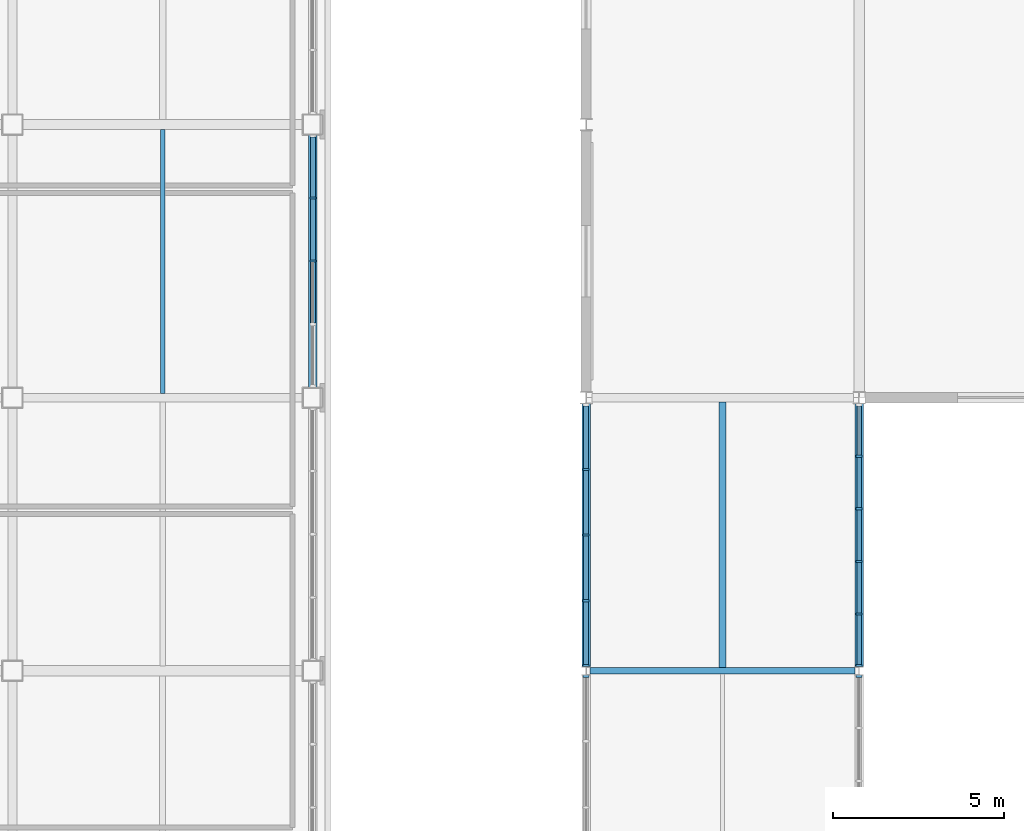
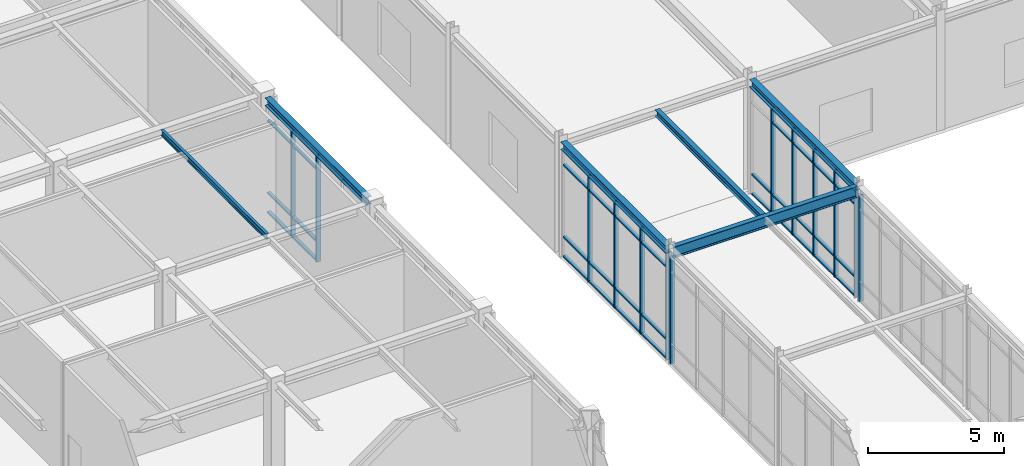
# One storey, part 33 of 108: 56 members, 6 beams, 5 elements without a shape of their own.
"""IFC4 building model written with IfcOpenShell, lengths in metres."""

import ifcopenshell
import ifcopenshell.guid

model = None  # the IFC model being written
_history = None  # IfcOwnerHistory: only IFC2X3 demands one
_inside = {}  # id of a spatial element -> (the spatial element, [elements in it])
_under = {}  # id of a project, library or spatial element -> (it, [spatial elements below it])
_declared = {}  # id of a project -> (the project, [libraries it declares])
_typed = {}  # id of a type object -> (the type object, [elements of that type])
_made_of = {}  # id of a material, layer set ... -> (it, [elements and type objects made of it])


def new_model(schema):
    """Start an empty IFC model of exactly this schema.

    Asked for "IFC4X3", IfcOpenShell would pick the latest addendum, in which some entities
    have other attributes; the version numbers below select the first issue.
    IFC2X3 requires an IfcOwnerHistory on every rooted entity: one is made here for all.
    """
    global model, _history
    if schema == "IFC4X3":
        model = ifcopenshell.file(schema_version=(4, 3, 0, 0))
    else:
        model = ifcopenshell.file(schema=schema)
    _inside.clear()
    _under.clear()
    _declared.clear()
    _typed.clear()
    _made_of.clear()
    _history = None
    if model.schema == "IFC2X3":
        org = make("IfcOrganization", Name="unknown")
        user = make(
            "IfcPersonAndOrganization",
            ThePerson=make("IfcPerson", FamilyName="unknown"),
            TheOrganization=org,
        )
        app = make(
            "IfcApplication",
            ApplicationDeveloper=org,
            Version="unknown",
            ApplicationFullName="unknown",
            ApplicationIdentifier="unknown",
        )
        _history = make(
            "IfcOwnerHistory",
            OwningUser=user,
            OwningApplication=app,
            ChangeAction="ADDED",
            CreationDate=0,
        )
    return model


def make(cls, **values):
    """One entity of the class cls with the attributes given. An attribute that is None is left unset."""
    return model.create_entity(
        cls, **{name: value for name, value in values.items() if value is not None}
    )


def rooted(cls, **values):
    """An entity with a GlobalId (a new one), such as an element, a storey or a relation."""
    return make(cls, GlobalId=ifcopenshell.guid.new(), OwnerHistory=_history, **values)


def si_unit(unit_type, name, prefix=None):
    """IfcSIUnit, for example si_unit("LENGTHUNIT", "METRE", prefix="MILLI")."""
    return make("IfcSIUnit", UnitType=unit_type, Prefix=prefix, Name=name)


def assignment(units):
    """IfcUnitAssignment: the units of a project."""
    return None if units is None else make("IfcUnitAssignment", Units=units)


def point(xyz):
    """IfcCartesianPoint."""
    return None if xyz is None else make("IfcCartesianPoint", Coordinates=xyz)


def direction(xyz):
    """IfcDirection."""
    return None if xyz is None else make("IfcDirection", DirectionRatios=xyz)


def frame(location, z_axis=None, x_axis=None):
    """IfcAxis2Placement3D, a coordinate frame: its origin and axes. An axis left out is left unset."""
    return make(
        "IfcAxis2Placement3D",
        Location=point(location),
        Axis=direction(z_axis),
        RefDirection=direction(x_axis),
    )


def frame_2d(location, x_axis=None):
    """IfcAxis2Placement2D, a coordinate frame in the plane: its origin and x axis."""
    return make(
        "IfcAxis2Placement2D", Location=point(location), RefDirection=direction(x_axis)
    )


def origin():
    """The frame at (0, 0, 0) with its axes left unset."""
    return frame((0.0, 0.0, 0.0))


def origin_2d():
    """The frame at (0, 0) in the plane with its x axis left unset."""
    return frame_2d((0.0, 0.0))


def place(relative_to, where):
    """IfcLocalPlacement: puts the frame where relative to a parent placement (None: the world)."""
    return make(
        "IfcLocalPlacement", PlacementRelTo=relative_to, RelativePlacement=where
    )


def context(
    kind, dimensions, precision=None, world=None, true_north=None, identifier=None
):
    """IfcGeometricRepresentationContext, for example the 3D "Model" context."""
    return make(
        "IfcGeometricRepresentationContext",
        ContextIdentifier=identifier,
        ContextType=kind,
        CoordinateSpaceDimension=dimensions,
        Precision=precision,
        WorldCoordinateSystem=world,
        TrueNorth=true_north,
    )


def subcontext(parent, identifier, kind, view, scale=None):
    """IfcGeometricRepresentationSubContext, for example "Body" below "Model"."""
    return make(
        "IfcGeometricRepresentationSubContext",
        ContextIdentifier=identifier,
        ContextType=kind,
        ParentContext=parent,
        TargetScale=scale,
        TargetView=view,
    )


def project(units=None, contexts=None):
    """IfcProject with its units and contexts."""
    return rooted(
        "IfcProject",
        Name="project",
        RepresentationContexts=contexts,
        UnitsInContext=assignment(units),
    )


def spatial(cls, under=None, at=None, **own):
    """A site, building, storey or space (cls), placed at a placement, below another one or the project."""
    s = rooted(cls, ObjectPlacement=at, **own)
    if under is not None:
        _under.setdefault(under.id(), (under, []))[1].append(s)
    return s


def profile(cls, at=None, kind="AREA", **sizes):
    """A parametric profile (cls). Its sizes go by their IFC names, for example OverallWidth=200.0."""
    return make(cls, ProfileType=kind, Position=at, **sizes)


def rectangle(**sizes):
    """IfcRectangleProfileDef."""
    return profile("IfcRectangleProfileDef", **sizes)


def i_section(**sizes):
    """IfcIShapeProfileDef."""
    return profile("IfcIShapeProfileDef", **sizes)


def extrude(swept, where, along, depth):
    """IfcExtrudedAreaSolid: the profile swept, set in the frame where, extruded along a direction by depth."""
    return make(
        "IfcExtrudedAreaSolid",
        SweptArea=swept,
        Position=where,
        ExtrudedDirection=direction(along),
        Depth=depth,
    )


def shape(context_of_items, identifier, shape_type, items):
    """IfcShapeRepresentation: the items that make up one representation, for example the "Body"."""
    return make(
        "IfcShapeRepresentation",
        ContextOfItems=context_of_items,
        RepresentationIdentifier=identifier,
        RepresentationType=shape_type,
        Items=items,
    )


def material(Name=None, Category=None):
    """IfcMaterial."""
    return make("IfcMaterial", Name=Name, Category=Category)


def material_profile(
    of_material, cross_section, Name=None, Category=None, Priority=None
):
    """IfcMaterialProfile: a cross section and its material."""
    return make(
        "IfcMaterialProfile",
        Name=Name,
        Material=of_material,
        Profile=cross_section,
        Priority=Priority,
        Category=Category,
    )


def profile_set(profiles, Name=None, composite=None):
    """IfcMaterialProfileSet."""
    return make(
        "IfcMaterialProfileSet",
        Name=Name,
        MaterialProfiles=profiles,
        CompositeProfile=composite,
    )


def made_of(thing, what):
    """Note that an element or type object is made of a material, layer set ...; save() writes the relation."""
    if what is not None:
        _made_of.setdefault(what.id(), (what, []))[1].append(thing)
    return thing


def type_object(cls, material=None, **own):
    """A type object (cls), such as IfcWallType, which elements share."""
    return made_of(rooted(cls, **own), material)


def element(
    cls,
    number,
    at=None,
    inside=None,
    cuts=None,
    type_object=None,
    material=None,
    context=None,
    identifier="Body",
    shape_type=None,
    held_by="IfcProductDefinitionShape",
    body=None,
    shapes=None,
    **own,
):
    """One element of the class cls, such as IfcWall. Its Tag is "e" and its number.

    at: its placement. inside: the storey or other place that contains it. cuts: it is an
    opening in that element (IfcRelVoidsElement). A single representation is given by context,
    identifier, shape_type and body (its items); several are given by shapes. held_by: the class
    of the entity that holds the representations. save() writes the other relations.
    """
    e = rooted(cls, Tag="e%d" % number, ObjectPlacement=at, **own)
    if body is not None:
        shapes = [shape(context, identifier, shape_type, body)]
    if shapes is not None:
        e.Representation = make(held_by, Representations=shapes)
    if inside is not None:
        _inside.setdefault(inside.id(), (inside, []))[1].append(e)
    if cuts is not None:
        rooted(
            "IfcRelVoidsElement", RelatingBuildingElement=cuts, RelatedOpeningElement=e
        )
    if type_object is not None:
        _typed.setdefault(type_object.id(), (type_object, []))[1].append(e)
    return made_of(e, material)


def aggregate(whole, parts):
    """IfcRelAggregates: a whole, such as a stair, and the parts it consists of."""
    return rooted("IfcRelAggregates", RelatingObject=whole, RelatedObjects=parts)


def save(model, path):
    """Write the relations noted so far, then the file.

    IfcRelAggregates (storeys below a building ...), IfcRelContainedInSpatialStructure (elements
    in a storey), IfcRelDefinesByType, IfcRelAssociatesMaterial and IfcRelDeclares: one each for
    every whole, place, type object, material and project.
    """
    for whole, parts in _under.values():
        aggregate(whole, parts)
    for where, things in _inside.values():
        rooted(
            "IfcRelContainedInSpatialStructure",
            RelatedElements=things,
            RelatingStructure=where,
        )
    for kind, things in _typed.values():
        rooted("IfcRelDefinesByType", RelatedObjects=things, RelatingType=kind)
    for what, things in _made_of.values():
        rooted("IfcRelAssociatesMaterial", RelatedObjects=things, RelatingMaterial=what)
    for by, libraries in _declared.values():
        rooted("IfcRelDeclares", RelatingContext=by, RelatedDefinitions=libraries)
    model.write(path)


model = new_model("IFC4")

# Units and contexts
model_context = context("Model", 3, precision=1e-05, world=origin(), true_north=direction((0.0, 1.0)))
body_context = subcontext(model_context, "Body", "Model", "MODEL_VIEW")
ifc_project = project(units=[si_unit("LENGTHUNIT", "METRE"), si_unit("AREAUNIT", "SQUARE_METRE"), si_unit("VOLUMEUNIT", "CUBIC_METRE"), si_unit("PLANEANGLEUNIT", "RADIAN"), si_unit("MASSUNIT", "GRAM", prefix="KILO")], contexts=[model_context])

# Site, building, storey
site_placement = place(None, origin())
site = spatial("IfcSite", under=ifc_project, at=site_placement, CompositionType="ELEMENT")
building_placement = place(site_placement, origin())
building = spatial("IfcBuilding", under=site, at=building_placement, Name="Zhaolan Boulevard Law Courts", CompositionType="ELEMENT")
storey_placement = place(building_placement, frame((0.0, 0.0, 10.800048828125)))
storey = spatial("IfcBuildingStorey", under=building, at=storey_placement, Name="L02", CompositionType="ELEMENT", Elevation=10.800048828125)

# Curtain wall, member
ifc_material_1 = material(Name="Thermally broken aluminium and low-E glazing", Category="aluminium")
curtain_wall_type_1 = type_object("IfcCurtainWallType", Name="CURTAIN WALL M22", PredefinedType="USERDEFINED", material=ifc_material_1)
curtain_wall_1_placement = place(storey_placement, origin())
curtain_wall_1 = element("IfcCurtainWall", 1, at=curtain_wall_1_placement, inside=storey, type_object=curtain_wall_type_1, Name="Curtain Wall CW-L02-094", ObjectType="CURTAIN WALL", PredefinedType="USERDEFINED")
ifc_material_2 = material(Name="Fluorocarbon-coated aluminium 6063-T6", Category="aluminium")
ifc_material_profile_1 = material_profile(ifc_material_2, rectangle(XDim=0.179931640625, YDim=0.06494140625, at=origin_2d()), Name="AL65x180")
ifc_profile_set_1 = profile_set([ifc_material_profile_1], Name="Fluorocarbon-coated aluminium 6063-T6")
member_type_1 = type_object("IfcMemberType", Name="CWMULLION 65X180", PredefinedType="MULLION", material=ifc_profile_set_1)
member_1_placement = place(storey_placement, frame((52.0, 53.840576171875, 0.0), z_axis=(0.0, 0.0, 1.0), x_axis=(1.0, 0.0, 0.0)))
member_1 = element("IfcMember", 2, at=member_1_placement, type_object=member_type_1, Name="CW-L02-094 mullion 1", PredefinedType="MULLION", context=body_context, shape_type="SweptSolid", body=[
    extrude(rectangle(XDim=0.179931640625, YDim=0.06494140625, at=origin_2d()), origin(), (0.0, 0.0, 1.0), 4.782958984375),
])
aggregate(curtain_wall_1, [member_1])

# Curtain wall, members
ifc_material_3 = material(Name="Thermally broken aluminium and low-E glazing", Category="aluminium")
curtain_wall_type_2 = type_object("IfcCurtainWallType", Name="CURTAIN WALL M23", PredefinedType="USERDEFINED", material=ifc_material_3)
curtain_wall_2_placement = place(storey_placement, origin())
curtain_wall_2 = element("IfcCurtainWall", 3, at=curtain_wall_2_placement, inside=storey, type_object=curtain_wall_type_2, Name="Curtain Wall CW-L02-095", ObjectType="CURTAIN WALL", PredefinedType="USERDEFINED")
member_2_placement = place(storey_placement, frame((52.0, 59.89892578125, 0.0), z_axis=(0.0, 0.0, 1.0), x_axis=(1.0, 0.0, 0.0)))
member_2 = element("IfcMember", 4, at=member_2_placement, type_object=member_type_1, Name="CW-L02-095 mullion 2", PredefinedType="MULLION", context=body_context, shape_type="SweptSolid", body=[
    extrude(rectangle(XDim=0.179931640625, YDim=0.06494140625, at=origin_2d()), origin(), (0.0, 0.0, 1.0), 4.782958984375),
])
member_3_placement = place(storey_placement, frame((52.0, 57.97509765625, 0.0), z_axis=(0.0, 0.0, 1.0), x_axis=(1.0, 0.0, 0.0)))
member_3 = element("IfcMember", 5, at=member_3_placement, type_object=member_type_1, Name="CW-L02-095 mullion 3", PredefinedType="MULLION", context=body_context, shape_type="SweptSolid", body=[
    extrude(rectangle(XDim=0.179931640625, YDim=0.06494140625, at=origin_2d()), origin(), (0.0, 0.0, 1.0), 4.782958984375),
])
member_4_placement = place(storey_placement, frame((52.0, 56.051025390625, 0.0), z_axis=(0.0, 0.0, 1.0), x_axis=(1.0, 0.0, 0.0)))
member_4 = element("IfcMember", 6, at=member_4_placement, type_object=member_type_1, Name="CW-L02-095 mullion 4", PredefinedType="MULLION", context=body_context, shape_type="SweptSolid", body=[
    extrude(rectangle(XDim=0.179931640625, YDim=0.06494140625, at=origin_2d()), origin(), (0.0, 0.0, 1.0), 4.782958984375),
])
member_5_placement = place(storey_placement, frame((52.0, 54.159423828125, 0.0), z_axis=(0.0, 0.0, 1.0), x_axis=(1.0, 0.0, 0.0)))
member_5 = element("IfcMember", 7, at=member_5_placement, type_object=member_type_1, Name="CW-L02-095 mullion 5", PredefinedType="MULLION", context=body_context, shape_type="SweptSolid", body=[
    extrude(rectangle(XDim=0.179931640625, YDim=0.06494140625, at=origin_2d()), origin(), (0.0, 0.0, 1.0), 4.782958984375),
])

# Curtain wall, member
ifc_material_4 = material(Name="Thermally broken aluminium and low-E glazing", Category="aluminium")
curtain_wall_type_3 = type_object("IfcCurtainWallType", Name="CURTAIN WALL M2", PredefinedType="USERDEFINED", material=ifc_material_4)
curtain_wall_3_placement = place(storey_placement, origin())
curtain_wall_3 = element("IfcCurtainWall", 8, at=curtain_wall_3_placement, inside=storey, type_object=curtain_wall_type_3, Name="Curtain Wall CW-L02-098", ObjectType="CURTAIN WALL", PredefinedType="USERDEFINED")
member_6_placement = place(storey_placement, frame((60.0, 53.840576171875, 0.0), z_axis=(0.0, 0.0, 1.0), x_axis=(-1.0, 0.0, 0.0)))
member_6 = element("IfcMember", 9, at=member_6_placement, type_object=member_type_1, Name="CW-L02-098 mullion 6", PredefinedType="MULLION", context=body_context, shape_type="SweptSolid", body=[
    extrude(rectangle(XDim=0.179931640625, YDim=0.06494140625, at=origin_2d()), origin(), (0.0, 0.0, 1.0), 4.782958984375),
])
aggregate(curtain_wall_3, [member_6])

# Curtain wall, members
ifc_material_5 = material(Name="Thermally broken aluminium and low-E glazing", Category="aluminium")
curtain_wall_type_4 = type_object("IfcCurtainWallType", Name="CURTAIN WALL M3", PredefinedType="USERDEFINED", material=ifc_material_5)
curtain_wall_4_placement = place(storey_placement, origin())
curtain_wall_4 = element("IfcCurtainWall", 10, at=curtain_wall_4_placement, inside=storey, type_object=curtain_wall_type_4, Name="Curtain Wall CW-L02-099", ObjectType="CURTAIN WALL", PredefinedType="USERDEFINED")
member_7_placement = place(storey_placement, frame((60.0, 54.159423828125, 0.0), z_axis=(0.0, 0.0, 1.0), x_axis=(-1.0, 0.0, 0.0)))
member_7 = element("IfcMember", 11, at=member_7_placement, type_object=member_type_1, Name="CW-L02-099 mullion 1", PredefinedType="MULLION", context=body_context, shape_type="SweptSolid", body=[
    extrude(rectangle(XDim=0.179931640625, YDim=0.06494140625, at=origin_2d()), origin(), (0.0, 0.0, 1.0), 4.782958984375),
])
member_8_placement = place(storey_placement, frame((60.0, 55.666259765625, 0.0), z_axis=(0.0, 0.0, 1.0), x_axis=(-1.0, 0.0, 0.0)))
member_8 = element("IfcMember", 12, at=member_8_placement, type_object=member_type_1, Name="CW-L02-099 mullion 2", PredefinedType="MULLION", context=body_context, shape_type="SweptSolid", body=[
    extrude(rectangle(XDim=0.179931640625, YDim=0.06494140625, at=origin_2d()), origin(), (0.0, 0.0, 1.0), 4.782958984375),
])
member_9_placement = place(storey_placement, frame((60.0, 57.205322265625, 0.0), z_axis=(0.0, 0.0, 1.0), x_axis=(-1.0, 0.0, 0.0)))
member_9 = element("IfcMember", 13, at=member_9_placement, type_object=member_type_1, Name="CW-L02-099 mullion 3", PredefinedType="MULLION", context=body_context, shape_type="SweptSolid", body=[
    extrude(rectangle(XDim=0.179931640625, YDim=0.06494140625, at=origin_2d()), origin(), (0.0, 0.0, 1.0), 4.782958984375),
])
member_10_placement = place(storey_placement, frame((60.0, 58.74462890625, 0.0), z_axis=(0.0, 0.0, 1.0), x_axis=(-1.0, 0.0, 0.0)))
member_10 = element("IfcMember", 14, at=member_10_placement, type_object=member_type_1, Name="CW-L02-099 mullion 4", PredefinedType="MULLION", context=body_context, shape_type="SweptSolid", body=[
    extrude(rectangle(XDim=0.179931640625, YDim=0.06494140625, at=origin_2d()), origin(), (0.0, 0.0, 1.0), 4.782958984375),
])
member_11_placement = place(storey_placement, frame((60.0, 60.28369140625, 0.0), z_axis=(0.0, 0.0, 1.0), x_axis=(-1.0, 0.0, 0.0)))
member_11 = element("IfcMember", 15, at=member_11_placement, type_object=member_type_1, Name="CW-L02-099 mullion 5", PredefinedType="MULLION", context=body_context, shape_type="SweptSolid", body=[
    extrude(rectangle(XDim=0.179931640625, YDim=0.06494140625, at=origin_2d()), origin(), (0.0, 0.0, 1.0), 4.782958984375),
])

curtain_wall_5_placement = place(storey_placement, origin())
curtain_wall_5 = element("IfcCurtainWall", 16, at=curtain_wall_5_placement, inside=storey, type_object=curtain_wall_type_1, Name="Curtain Wall CW-L02-166", ObjectType="CURTAIN WALL", PredefinedType="USERDEFINED")
member_12_placement = place(storey_placement, frame((44.0, 66.0, 0.0), z_axis=(0.0, 0.0, 1.0), x_axis=(-1.0, 0.0, 0.0)))
member_12 = element("IfcMember", 17, at=member_12_placement, type_object=member_type_1, Name="CW-L02-166 mullion 3", PredefinedType="MULLION", context=body_context, shape_type="SweptSolid", body=[
    extrude(rectangle(XDim=0.179931640625, YDim=0.06494140625, at=origin_2d()), origin(), (0.0, 0.0, 1.0), 4.782958984375),
])
member_13_placement = place(storey_placement, frame((44.0, 67.84912109375, 0.0), z_axis=(0.0, 0.0, 1.0), x_axis=(-1.0, 0.0, 0.0)))
member_13 = element("IfcMember", 18, at=member_13_placement, type_object=member_type_1, Name="CW-L02-166 mullion 4", PredefinedType="MULLION", context=body_context, shape_type="SweptSolid", body=[
    extrude(rectangle(XDim=0.179931640625, YDim=0.06494140625, at=origin_2d()), origin(), (0.0, 0.0, 1.0), 4.782958984375),
])

# Member
ifc_material_6 = material(Name="Fluorocarbon-coated aluminium 6063-T6", Category="aluminium")
ifc_material_profile_2 = material_profile(ifc_material_6, rectangle(XDim=0.139892578125, YDim=0.06494140625, at=origin_2d()), Name="AL65x140")
ifc_profile_set_2 = profile_set([ifc_material_profile_2], Name="Fluorocarbon-coated aluminium 6063-T6")
member_type_2 = type_object("IfcMemberType", Name="CWTRANSOM 65X140", PredefinedType="USERDEFINED", material=ifc_profile_set_2)
member_14_placement = place(storey_placement, frame((52.0, 61.758056640625, 0.032470703125), z_axis=(0.0, -1.0, 0.0), x_axis=(1.0, 0.0, 0.0)))
member_14 = element("IfcMember", 19, at=member_14_placement, type_object=member_type_2, Name="CW-L02-095 transom 1.1", ObjectType="TRANSOM", PredefinedType="USERDEFINED", context=body_context, shape_type="SweptSolid", body=[
    extrude(rectangle(XDim=0.139892578125, YDim=0.06494140625, at=origin_2d()), origin(), (0.0, 0.0, 1.0), 1.82666015625),
])

member_15_placement = place(storey_placement, frame((52.0, 61.758056640625, 0.89990234375), z_axis=(0.0, -1.0, 0.0), x_axis=(1.0, 0.0, 0.0)))
member_15 = element("IfcMember", 20, at=member_15_placement, type_object=member_type_2, Name="CW-L02-095 transom 1.2", ObjectType="TRANSOM", PredefinedType="USERDEFINED", context=body_context, shape_type="SweptSolid", body=[
    extrude(rectangle(XDim=0.139892578125, YDim=0.06494140625, at=origin_2d()), origin(), (0.0, 0.0, 1.0), 1.82666015625),
])

member_16_placement = place(storey_placement, frame((52.0, 61.758056640625, 4.133056640625), z_axis=(0.0, -1.0, 0.0), x_axis=(1.0, 0.0, 0.0)))
member_16 = element("IfcMember", 21, at=member_16_placement, type_object=member_type_2, Name="CW-L02-095 transom 1.3", ObjectType="TRANSOM", PredefinedType="USERDEFINED", context=body_context, shape_type="SweptSolid", body=[
    extrude(rectangle(XDim=0.139892578125, YDim=0.06494140625, at=origin_2d()), origin(), (0.0, 0.0, 1.0), 1.82666015625),
])

member_17_placement = place(storey_placement, frame((52.0, 61.758056640625, 4.75048828125), z_axis=(0.0, -1.0, 0.0), x_axis=(1.0, 0.0, 0.0)))
member_17 = element("IfcMember", 22, at=member_17_placement, type_object=member_type_2, Name="CW-L02-095 transom 1.4", ObjectType="TRANSOM", PredefinedType="USERDEFINED", context=body_context, shape_type="SweptSolid", body=[
    extrude(rectangle(XDim=0.139892578125, YDim=0.06494140625, at=origin_2d()), origin(), (0.0, 0.0, 1.0), 1.82666015625),
])

member_18_placement = place(storey_placement, frame((52.0, 59.866455078125, 0.032470703125), z_axis=(0.0, -1.0, 0.0), x_axis=(1.0, 0.0, 0.0)))
member_18 = element("IfcMember", 23, at=member_18_placement, type_object=member_type_2, Name="CW-L02-095 transom 2.1", ObjectType="TRANSOM", PredefinedType="USERDEFINED", context=body_context, shape_type="SweptSolid", body=[
    extrude(rectangle(XDim=0.139892578125, YDim=0.06494140625, at=origin_2d()), origin(), (0.0, 0.0, 1.0), 1.85888671875),
])

member_19_placement = place(storey_placement, frame((52.0, 59.866455078125, 0.89990234375), z_axis=(0.0, -1.0, 0.0), x_axis=(1.0, 0.0, 0.0)))
member_19 = element("IfcMember", 24, at=member_19_placement, type_object=member_type_2, Name="CW-L02-095 transom 2.2", ObjectType="TRANSOM", PredefinedType="USERDEFINED", context=body_context, shape_type="SweptSolid", body=[
    extrude(rectangle(XDim=0.139892578125, YDim=0.06494140625, at=origin_2d()), origin(), (0.0, 0.0, 1.0), 1.85888671875),
])

member_20_placement = place(storey_placement, frame((52.0, 59.866455078125, 4.133056640625), z_axis=(0.0, -1.0, 0.0), x_axis=(1.0, 0.0, 0.0)))
member_20 = element("IfcMember", 25, at=member_20_placement, type_object=member_type_2, Name="CW-L02-095 transom 2.3", ObjectType="TRANSOM", PredefinedType="USERDEFINED", context=body_context, shape_type="SweptSolid", body=[
    extrude(rectangle(XDim=0.139892578125, YDim=0.06494140625, at=origin_2d()), origin(), (0.0, 0.0, 1.0), 1.85888671875),
])

member_21_placement = place(storey_placement, frame((52.0, 59.866455078125, 4.75048828125), z_axis=(0.0, -1.0, 0.0), x_axis=(1.0, 0.0, 0.0)))
member_21 = element("IfcMember", 26, at=member_21_placement, type_object=member_type_2, Name="CW-L02-095 transom 2.4", ObjectType="TRANSOM", PredefinedType="USERDEFINED", context=body_context, shape_type="SweptSolid", body=[
    extrude(rectangle(XDim=0.139892578125, YDim=0.06494140625, at=origin_2d()), origin(), (0.0, 0.0, 1.0), 1.85888671875),
])

member_22_placement = place(storey_placement, frame((52.0, 57.9423828125, 0.032470703125), z_axis=(0.0, -1.0, 0.0), x_axis=(1.0, 0.0, 0.0)))
member_22 = element("IfcMember", 27, at=member_22_placement, type_object=member_type_2, Name="CW-L02-095 transom 3.1", ObjectType="TRANSOM", PredefinedType="USERDEFINED", context=body_context, shape_type="SweptSolid", body=[
    extrude(rectangle(XDim=0.139892578125, YDim=0.06494140625, at=origin_2d()), origin(), (0.0, 0.0, 1.0), 1.85888671875),
])

member_23_placement = place(storey_placement, frame((52.0, 57.9423828125, 0.89990234375), z_axis=(0.0, -1.0, 0.0), x_axis=(1.0, 0.0, 0.0)))
member_23 = element("IfcMember", 28, at=member_23_placement, type_object=member_type_2, Name="CW-L02-095 transom 3.2", ObjectType="TRANSOM", PredefinedType="USERDEFINED", context=body_context, shape_type="SweptSolid", body=[
    extrude(rectangle(XDim=0.139892578125, YDim=0.06494140625, at=origin_2d()), origin(), (0.0, 0.0, 1.0), 1.85888671875),
])

member_24_placement = place(storey_placement, frame((52.0, 57.9423828125, 4.133056640625), z_axis=(0.0, -1.0, 0.0), x_axis=(1.0, 0.0, 0.0)))
member_24 = element("IfcMember", 29, at=member_24_placement, type_object=member_type_2, Name="CW-L02-095 transom 3.3", ObjectType="TRANSOM", PredefinedType="USERDEFINED", context=body_context, shape_type="SweptSolid", body=[
    extrude(rectangle(XDim=0.139892578125, YDim=0.06494140625, at=origin_2d()), origin(), (0.0, 0.0, 1.0), 1.85888671875),
])

member_25_placement = place(storey_placement, frame((52.0, 57.9423828125, 4.75048828125), z_axis=(0.0, -1.0, 0.0), x_axis=(1.0, 0.0, 0.0)))
member_25 = element("IfcMember", 30, at=member_25_placement, type_object=member_type_2, Name="CW-L02-095 transom 3.4", ObjectType="TRANSOM", PredefinedType="USERDEFINED", context=body_context, shape_type="SweptSolid", body=[
    extrude(rectangle(XDim=0.139892578125, YDim=0.06494140625, at=origin_2d()), origin(), (0.0, 0.0, 1.0), 1.85888671875),
])

member_26_placement = place(storey_placement, frame((52.0, 56.0185546875, 0.032470703125), z_axis=(0.0, -1.0, 0.0), x_axis=(1.0, 0.0, 0.0)))
member_26 = element("IfcMember", 31, at=member_26_placement, type_object=member_type_2, Name="CW-L02-095 transom 4.1", ObjectType="TRANSOM", PredefinedType="USERDEFINED", context=body_context, shape_type="SweptSolid", body=[
    extrude(rectangle(XDim=0.139892578125, YDim=0.06494140625, at=origin_2d()), origin(), (0.0, 0.0, 1.0), 1.82666015625),
])

member_27_placement = place(storey_placement, frame((52.0, 56.0185546875, 0.89990234375), z_axis=(0.0, -1.0, 0.0), x_axis=(1.0, 0.0, 0.0)))
member_27 = element("IfcMember", 32, at=member_27_placement, type_object=member_type_2, Name="CW-L02-095 transom 4.2", ObjectType="TRANSOM", PredefinedType="USERDEFINED", context=body_context, shape_type="SweptSolid", body=[
    extrude(rectangle(XDim=0.139892578125, YDim=0.06494140625, at=origin_2d()), origin(), (0.0, 0.0, 1.0), 1.82666015625),
])

member_28_placement = place(storey_placement, frame((52.0, 56.0185546875, 4.133056640625), z_axis=(0.0, -1.0, 0.0), x_axis=(1.0, 0.0, 0.0)))
member_28 = element("IfcMember", 33, at=member_28_placement, type_object=member_type_2, Name="CW-L02-095 transom 4.3", ObjectType="TRANSOM", PredefinedType="USERDEFINED", context=body_context, shape_type="SweptSolid", body=[
    extrude(rectangle(XDim=0.139892578125, YDim=0.06494140625, at=origin_2d()), origin(), (0.0, 0.0, 1.0), 1.82666015625),
])

member_29_placement = place(storey_placement, frame((52.0, 56.0185546875, 4.75048828125), z_axis=(0.0, -1.0, 0.0), x_axis=(1.0, 0.0, 0.0)))
member_29 = element("IfcMember", 34, at=member_29_placement, type_object=member_type_2, Name="CW-L02-095 transom 4.4", ObjectType="TRANSOM", PredefinedType="USERDEFINED", context=body_context, shape_type="SweptSolid", body=[
    extrude(rectangle(XDim=0.139892578125, YDim=0.06494140625, at=origin_2d()), origin(), (0.0, 0.0, 1.0), 1.82666015625),
])

aggregate(curtain_wall_2, [member_2, member_3, member_4, member_5, member_14, member_15, member_16, member_17, member_18, member_19, member_20, member_21, member_22, member_23, member_24, member_25, member_26, member_27, member_28, member_29])

member_30_placement = place(storey_placement, frame((60.0, 54.19189453125, 0.032470703125), z_axis=(0.0, 1.0, 0.0), x_axis=(-1.0, 0.0, 0.0)))
member_30 = element("IfcMember", 35, at=member_30_placement, type_object=member_type_2, Name="CW-L02-099 transom 1.1", ObjectType="TRANSOM", PredefinedType="USERDEFINED", context=body_context, shape_type="SweptSolid", body=[
    extrude(rectangle(XDim=0.139892578125, YDim=0.06494140625, at=origin_2d()), origin(), (0.0, 0.0, 1.0), 1.44189453125),
])

member_31_placement = place(storey_placement, frame((60.0, 54.19189453125, 0.89990234375), z_axis=(0.0, 1.0, 0.0), x_axis=(-1.0, 0.0, 0.0)))
member_31 = element("IfcMember", 36, at=member_31_placement, type_object=member_type_2, Name="CW-L02-099 transom 1.2", ObjectType="TRANSOM", PredefinedType="USERDEFINED", context=body_context, shape_type="SweptSolid", body=[
    extrude(rectangle(XDim=0.139892578125, YDim=0.06494140625, at=origin_2d()), origin(), (0.0, 0.0, 1.0), 1.44189453125),
])

member_32_placement = place(storey_placement, frame((60.0, 54.19189453125, 4.133056640625), z_axis=(0.0, 1.0, 0.0), x_axis=(-1.0, 0.0, 0.0)))
member_32 = element("IfcMember", 37, at=member_32_placement, type_object=member_type_2, Name="CW-L02-099 transom 1.3", ObjectType="TRANSOM", PredefinedType="USERDEFINED", context=body_context, shape_type="SweptSolid", body=[
    extrude(rectangle(XDim=0.139892578125, YDim=0.06494140625, at=origin_2d()), origin(), (0.0, 0.0, 1.0), 1.44189453125),
])

member_33_placement = place(storey_placement, frame((60.0, 54.19189453125, 4.75048828125), z_axis=(0.0, 1.0, 0.0), x_axis=(-1.0, 0.0, 0.0)))
member_33 = element("IfcMember", 38, at=member_33_placement, type_object=member_type_2, Name="CW-L02-099 transom 1.4", ObjectType="TRANSOM", PredefinedType="USERDEFINED", context=body_context, shape_type="SweptSolid", body=[
    extrude(rectangle(XDim=0.139892578125, YDim=0.06494140625, at=origin_2d()), origin(), (0.0, 0.0, 1.0), 1.44189453125),
])

member_34_placement = place(storey_placement, frame((60.0, 55.69873046875, 0.032470703125), z_axis=(0.0, 1.0, 0.0), x_axis=(-1.0, 0.0, 0.0)))
member_34 = element("IfcMember", 39, at=member_34_placement, type_object=member_type_2, Name="CW-L02-099 transom 2.1", ObjectType="TRANSOM", PredefinedType="USERDEFINED", context=body_context, shape_type="SweptSolid", body=[
    extrude(rectangle(XDim=0.139892578125, YDim=0.06494140625, at=origin_2d()), origin(), (0.0, 0.0, 1.0), 1.47412109375),
])

member_35_placement = place(storey_placement, frame((60.0, 55.69873046875, 0.89990234375), z_axis=(0.0, 1.0, 0.0), x_axis=(-1.0, 0.0, 0.0)))
member_35 = element("IfcMember", 40, at=member_35_placement, type_object=member_type_2, Name="CW-L02-099 transom 2.2", ObjectType="TRANSOM", PredefinedType="USERDEFINED", context=body_context, shape_type="SweptSolid", body=[
    extrude(rectangle(XDim=0.139892578125, YDim=0.06494140625, at=origin_2d()), origin(), (0.0, 0.0, 1.0), 1.47412109375),
])

member_36_placement = place(storey_placement, frame((60.0, 55.69873046875, 4.133056640625), z_axis=(0.0, 1.0, 0.0), x_axis=(-1.0, 0.0, 0.0)))
member_36 = element("IfcMember", 41, at=member_36_placement, type_object=member_type_2, Name="CW-L02-099 transom 2.3", ObjectType="TRANSOM", PredefinedType="USERDEFINED", context=body_context, shape_type="SweptSolid", body=[
    extrude(rectangle(XDim=0.139892578125, YDim=0.06494140625, at=origin_2d()), origin(), (0.0, 0.0, 1.0), 1.47412109375),
])

member_37_placement = place(storey_placement, frame((60.0, 55.69873046875, 4.75048828125), z_axis=(0.0, 1.0, 0.0), x_axis=(-1.0, 0.0, 0.0)))
member_37 = element("IfcMember", 42, at=member_37_placement, type_object=member_type_2, Name="CW-L02-099 transom 2.4", ObjectType="TRANSOM", PredefinedType="USERDEFINED", context=body_context, shape_type="SweptSolid", body=[
    extrude(rectangle(XDim=0.139892578125, YDim=0.06494140625, at=origin_2d()), origin(), (0.0, 0.0, 1.0), 1.47412109375),
])

member_38_placement = place(storey_placement, frame((60.0, 57.23779296875, 0.032470703125), z_axis=(0.0, 1.0, 0.0), x_axis=(-1.0, 0.0, 0.0)))
member_38 = element("IfcMember", 43, at=member_38_placement, type_object=member_type_2, Name="CW-L02-099 transom 3.1", ObjectType="TRANSOM", PredefinedType="USERDEFINED", context=body_context, shape_type="SweptSolid", body=[
    extrude(rectangle(XDim=0.139892578125, YDim=0.06494140625, at=origin_2d()), origin(), (0.0, 0.0, 1.0), 1.474365234375),
])

member_39_placement = place(storey_placement, frame((60.0, 57.23779296875, 0.89990234375), z_axis=(0.0, 1.0, 0.0), x_axis=(-1.0, 0.0, 0.0)))
member_39 = element("IfcMember", 44, at=member_39_placement, type_object=member_type_2, Name="CW-L02-099 transom 3.2", ObjectType="TRANSOM", PredefinedType="USERDEFINED", context=body_context, shape_type="SweptSolid", body=[
    extrude(rectangle(XDim=0.139892578125, YDim=0.06494140625, at=origin_2d()), origin(), (0.0, 0.0, 1.0), 1.474365234375),
])

member_40_placement = place(storey_placement, frame((60.0, 57.23779296875, 4.133056640625), z_axis=(0.0, 1.0, 0.0), x_axis=(-1.0, 0.0, 0.0)))
member_40 = element("IfcMember", 45, at=member_40_placement, type_object=member_type_2, Name="CW-L02-099 transom 3.3", ObjectType="TRANSOM", PredefinedType="USERDEFINED", context=body_context, shape_type="SweptSolid", body=[
    extrude(rectangle(XDim=0.139892578125, YDim=0.06494140625, at=origin_2d()), origin(), (0.0, 0.0, 1.0), 1.474365234375),
])

member_41_placement = place(storey_placement, frame((60.0, 57.23779296875, 4.75048828125), z_axis=(0.0, 1.0, 0.0), x_axis=(-1.0, 0.0, 0.0)))
member_41 = element("IfcMember", 46, at=member_41_placement, type_object=member_type_2, Name="CW-L02-099 transom 3.4", ObjectType="TRANSOM", PredefinedType="USERDEFINED", context=body_context, shape_type="SweptSolid", body=[
    extrude(rectangle(XDim=0.139892578125, YDim=0.06494140625, at=origin_2d()), origin(), (0.0, 0.0, 1.0), 1.474365234375),
])

member_42_placement = place(storey_placement, frame((60.0, 58.777099609375, 0.032470703125), z_axis=(0.0, 1.0, 0.0), x_axis=(-1.0, 0.0, 0.0)))
member_42 = element("IfcMember", 47, at=member_42_placement, type_object=member_type_2, Name="CW-L02-099 transom 4.1", ObjectType="TRANSOM", PredefinedType="USERDEFINED", context=body_context, shape_type="SweptSolid", body=[
    extrude(rectangle(XDim=0.139892578125, YDim=0.06494140625, at=origin_2d()), origin(), (0.0, 0.0, 1.0), 1.47412109375),
])

member_43_placement = place(storey_placement, frame((60.0, 58.777099609375, 0.89990234375), z_axis=(0.0, 1.0, 0.0), x_axis=(-1.0, 0.0, 0.0)))
member_43 = element("IfcMember", 48, at=member_43_placement, type_object=member_type_2, Name="CW-L02-099 transom 4.2", ObjectType="TRANSOM", PredefinedType="USERDEFINED", context=body_context, shape_type="SweptSolid", body=[
    extrude(rectangle(XDim=0.139892578125, YDim=0.06494140625, at=origin_2d()), origin(), (0.0, 0.0, 1.0), 1.47412109375),
])

member_44_placement = place(storey_placement, frame((60.0, 58.777099609375, 4.133056640625), z_axis=(0.0, 1.0, 0.0), x_axis=(-1.0, 0.0, 0.0)))
member_44 = element("IfcMember", 49, at=member_44_placement, type_object=member_type_2, Name="CW-L02-099 transom 4.3", ObjectType="TRANSOM", PredefinedType="USERDEFINED", context=body_context, shape_type="SweptSolid", body=[
    extrude(rectangle(XDim=0.139892578125, YDim=0.06494140625, at=origin_2d()), origin(), (0.0, 0.0, 1.0), 1.47412109375),
])

member_45_placement = place(storey_placement, frame((60.0, 58.777099609375, 4.75048828125), z_axis=(0.0, 1.0, 0.0), x_axis=(-1.0, 0.0, 0.0)))
member_45 = element("IfcMember", 50, at=member_45_placement, type_object=member_type_2, Name="CW-L02-099 transom 4.4", ObjectType="TRANSOM", PredefinedType="USERDEFINED", context=body_context, shape_type="SweptSolid", body=[
    extrude(rectangle(XDim=0.139892578125, YDim=0.06494140625, at=origin_2d()), origin(), (0.0, 0.0, 1.0), 1.47412109375),
])

member_46_placement = place(storey_placement, frame((60.0, 60.31640625, 0.032470703125), z_axis=(0.0, 1.0, 0.0), x_axis=(-1.0, 0.0, 0.0)))
member_46 = element("IfcMember", 51, at=member_46_placement, type_object=member_type_2, Name="CW-L02-099 transom 5.1", ObjectType="TRANSOM", PredefinedType="USERDEFINED", context=body_context, shape_type="SweptSolid", body=[
    extrude(rectangle(XDim=0.139892578125, YDim=0.06494140625, at=origin_2d()), origin(), (0.0, 0.0, 1.0), 1.441650390625),
])

member_47_placement = place(storey_placement, frame((60.0, 60.31640625, 0.89990234375), z_axis=(0.0, 1.0, 0.0), x_axis=(-1.0, 0.0, 0.0)))
member_47 = element("IfcMember", 52, at=member_47_placement, type_object=member_type_2, Name="CW-L02-099 transom 5.2", ObjectType="TRANSOM", PredefinedType="USERDEFINED", context=body_context, shape_type="SweptSolid", body=[
    extrude(rectangle(XDim=0.139892578125, YDim=0.06494140625, at=origin_2d()), origin(), (0.0, 0.0, 1.0), 1.441650390625),
])

aggregate(curtain_wall_4, [member_7, member_8, member_9, member_10, member_11, member_30, member_31, member_32, member_33, member_34, member_35, member_36, member_37, member_38, member_39, member_40, member_41, member_42, member_43, member_44, member_45, member_46, member_47])

member_48_placement = place(storey_placement, frame((44.0, 64.18359375, 4.75048828125), z_axis=(0.0, 1.0, 0.0), x_axis=(-1.0, 0.0, 0.0)))
member_48 = element("IfcMember", 53, at=member_48_placement, type_object=member_type_2, Name="CW-L02-166 transom 2.4", ObjectType="TRANSOM", PredefinedType="USERDEFINED", context=body_context, shape_type="SweptSolid", body=[
    extrude(rectangle(XDim=0.139892578125, YDim=0.06494140625, at=origin_2d()), origin(), (0.0, 0.0, 1.0), 1.783935546875),
])

member_49_placement = place(storey_placement, frame((44.0, 66.032470703125, 0.032470703125), z_axis=(0.0, 1.0, 0.0), x_axis=(-1.0, 0.0, 0.0)))
member_49 = element("IfcMember", 54, at=member_49_placement, type_object=member_type_2, Name="CW-L02-166 transom 3.1", ObjectType="TRANSOM", PredefinedType="USERDEFINED", context=body_context, shape_type="SweptSolid", body=[
    extrude(rectangle(XDim=0.139892578125, YDim=0.06494140625, at=origin_2d()), origin(), (0.0, 0.0, 1.0), 1.783935546875),
])

member_50_placement = place(storey_placement, frame((44.0, 66.032470703125, 0.89990234375), z_axis=(0.0, 1.0, 0.0), x_axis=(-1.0, 0.0, 0.0)))
member_50 = element("IfcMember", 55, at=member_50_placement, type_object=member_type_2, Name="CW-L02-166 transom 3.2", ObjectType="TRANSOM", PredefinedType="USERDEFINED", context=body_context, shape_type="SweptSolid", body=[
    extrude(rectangle(XDim=0.139892578125, YDim=0.06494140625, at=origin_2d()), origin(), (0.0, 0.0, 1.0), 1.783935546875),
])

member_51_placement = place(storey_placement, frame((44.0, 66.032470703125, 4.133056640625), z_axis=(0.0, 1.0, 0.0), x_axis=(-1.0, 0.0, 0.0)))
member_51 = element("IfcMember", 56, at=member_51_placement, type_object=member_type_2, Name="CW-L02-166 transom 3.3", ObjectType="TRANSOM", PredefinedType="USERDEFINED", context=body_context, shape_type="SweptSolid", body=[
    extrude(rectangle(XDim=0.139892578125, YDim=0.06494140625, at=origin_2d()), origin(), (0.0, 0.0, 1.0), 1.783935546875),
])

member_52_placement = place(storey_placement, frame((44.0, 66.032470703125, 4.75048828125), z_axis=(0.0, 1.0, 0.0), x_axis=(-1.0, 0.0, 0.0)))
member_52 = element("IfcMember", 57, at=member_52_placement, type_object=member_type_2, Name="CW-L02-166 transom 3.4", ObjectType="TRANSOM", PredefinedType="USERDEFINED", context=body_context, shape_type="SweptSolid", body=[
    extrude(rectangle(XDim=0.139892578125, YDim=0.06494140625, at=origin_2d()), origin(), (0.0, 0.0, 1.0), 1.783935546875),
])

member_53_placement = place(storey_placement, frame((44.0, 67.881591796875, 0.032470703125), z_axis=(0.0, 1.0, 0.0), x_axis=(-1.0, 0.0, 0.0)))
member_53 = element("IfcMember", 58, at=member_53_placement, type_object=member_type_2, Name="CW-L02-166 transom 4.1", ObjectType="TRANSOM", PredefinedType="USERDEFINED", context=body_context, shape_type="SweptSolid", body=[
    extrude(rectangle(XDim=0.139892578125, YDim=0.06494140625, at=origin_2d()), origin(), (0.0, 0.0, 1.0), 1.75146484375),
])

member_54_placement = place(storey_placement, frame((44.0, 67.881591796875, 0.89990234375), z_axis=(0.0, 1.0, 0.0), x_axis=(-1.0, 0.0, 0.0)))
member_54 = element("IfcMember", 59, at=member_54_placement, type_object=member_type_2, Name="CW-L02-166 transom 4.2", ObjectType="TRANSOM", PredefinedType="USERDEFINED", context=body_context, shape_type="SweptSolid", body=[
    extrude(rectangle(XDim=0.139892578125, YDim=0.06494140625, at=origin_2d()), origin(), (0.0, 0.0, 1.0), 1.75146484375),
])

member_55_placement = place(storey_placement, frame((44.0, 67.881591796875, 4.133056640625), z_axis=(0.0, 1.0, 0.0), x_axis=(-1.0, 0.0, 0.0)))
member_55 = element("IfcMember", 60, at=member_55_placement, type_object=member_type_2, Name="CW-L02-166 transom 4.3", ObjectType="TRANSOM", PredefinedType="USERDEFINED", context=body_context, shape_type="SweptSolid", body=[
    extrude(rectangle(XDim=0.139892578125, YDim=0.06494140625, at=origin_2d()), origin(), (0.0, 0.0, 1.0), 1.75146484375),
])

member_56_placement = place(storey_placement, frame((44.0, 67.881591796875, 4.75048828125), z_axis=(0.0, 1.0, 0.0), x_axis=(-1.0, 0.0, 0.0)))
member_56 = element("IfcMember", 61, at=member_56_placement, type_object=member_type_2, Name="CW-L02-166 transom 4.4", ObjectType="TRANSOM", PredefinedType="USERDEFINED", context=body_context, shape_type="SweptSolid", body=[
    extrude(rectangle(XDim=0.139892578125, YDim=0.06494140625, at=origin_2d()), origin(), (0.0, 0.0, 1.0), 1.75146484375),
])

aggregate(curtain_wall_5, [member_12, member_13, member_48, member_49, member_50, member_51, member_52, member_53, member_54, member_55, member_56])

# Beams
ifc_material_7 = material(Name="Structural steel Q355B", Category="steel")
ifc_material_profile_3 = material_profile(ifc_material_7, i_section(OverallWidth=0.25, OverallDepth=0.340087890625, WebThickness=0.009033203125, FlangeThickness=0.013916015625, FilletRadius=0.01611328125, at=origin_2d()), Name="HM340x250")
ifc_profile_set_3 = profile_set([ifc_material_profile_3], Name="Structural steel Q355B")
beam_type_1 = type_object("IfcBeamType", Name="GIRDER HM340", PredefinedType="BEAM", material=ifc_profile_set_3)
beam_1_placement = place(storey_placement, frame((44.0, 62.2958984375, 4.968017578125), z_axis=(0.0, 1.0, 0.0), x_axis=(-1.0, 0.0, 0.0)))
element("IfcBeam", 62, at=beam_1_placement, inside=storey, type_object=beam_type_1, Name="Beam BY-L03-6-J-K", PredefinedType="BEAM", context=body_context, shape_type="SweptSolid", body=[
    extrude(i_section(OverallWidth=0.25, OverallDepth=0.340087890625, WebThickness=0.009033203125, FlangeThickness=0.013916015625, FilletRadius=0.01611328125, at=origin_2d()), origin(), (0.0, 0.0, 1.0), 7.408203125),
])
for number, where, z_axis, x_axis, name in (
    (63, (52.0, 54.12109375, 4.968017578125), (0.0, 1.0, 0.0), (-1.0, 0.0, 0.0), "Beam BY-L03-7-H-J"),
    (64, (60.0, 54.12109375, 4.968017578125), (0.0, 1.0, 0.0), (-1.0, 0.0, 0.0), "Beam BY-L03-8-H-J"),
):
    element("IfcBeam", number, at=place(storey_placement, frame(where, z_axis=z_axis, x_axis=x_axis)), inside=storey, type_object=beam_type_1, Name=name, PredefinedType="BEAM", context=body_context, shape_type="SweptSolid", body=[
        extrude(i_section(OverallWidth=0.25, OverallDepth=0.340087890625, WebThickness=0.009033203125, FlangeThickness=0.013916015625, FilletRadius=0.01611328125, at=origin_2d()), origin(), (0.0, 0.0, 1.0), 7.7080078125),
    ])
ifc_material_8 = material(Name="Structural steel Q355B", Category="steel")
ifc_material_profile_4 = material_profile(ifc_material_8, i_section(OverallWidth=0.199951171875, OverallDepth=0.5, WebThickness=0.010009765625, FlangeThickness=0.01611328125, FilletRadius=0.01806640625, at=origin_2d()), Name="HN500x200")
ifc_profile_set_4 = profile_set([ifc_material_profile_4], Name="Structural steel Q355B")
beam_type_2 = type_object("IfcBeamType", Name="GIRDER HN500", PredefinedType="BEAM", material=ifc_profile_set_4)
beam_2_placement = place(storey_placement, frame((52.12109375, 54.0, 4.887939453125), z_axis=(1.0, 0.0, 0.0), x_axis=(0.0, 1.0, 0.0)))
element("IfcBeam", 65, at=beam_2_placement, inside=storey, type_object=beam_type_2, Name="Beam BX-L03-7-8-H", PredefinedType="BEAM", context=body_context, shape_type="SweptSolid", body=[
    extrude(i_section(OverallWidth=0.199951171875, OverallDepth=0.5, WebThickness=0.010009765625, FlangeThickness=0.01611328125, FilletRadius=0.01806640625, at=origin_2d()), origin(), (0.0, 0.0, 1.0), 7.7578125),
])
ifc_material_9 = material(Name="Structural steel Q355B", Category="steel")
ifc_material_profile_5 = material_profile(ifc_material_9, i_section(OverallWidth=0.199951171875, OverallDepth=0.2939453125, WebThickness=0.008056640625, FlangeThickness=0.011962890625, FilletRadius=0.01611328125, at=origin_2d()), Name="HM294x200")
ifc_profile_set_5 = profile_set([ifc_material_profile_5], Name="Structural steel Q355B")
beam_type_3 = type_object("IfcBeamType", Name="JOIST HM294", PredefinedType="JOIST", material=ifc_profile_set_5)
beam_3_placement = place(storey_placement, frame((56.0, 54.095947265625, 4.990966796875), z_axis=(0.0, 1.0, 0.0), x_axis=(-1.0, 0.0, 0.0)))
element("IfcBeam", 66, at=beam_3_placement, inside=storey, type_object=beam_type_3, Name="Composite Joist J-L03-7H", PredefinedType="JOIST", context=body_context, shape_type="SweptSolid", body=[
    extrude(i_section(OverallWidth=0.199951171875, OverallDepth=0.2939453125, WebThickness=0.008056640625, FlangeThickness=0.011962890625, FilletRadius=0.01611328125, at=origin_2d()), origin(), (0.0, 0.0, 1.0), 7.782958984375),
])
ifc_material_10 = material(Name="Structural steel Q355B", Category="steel")
ifc_material_profile_6 = material_profile(ifc_material_10, i_section(OverallWidth=0.125, OverallDepth=0.25, WebThickness=0.006103515625, FlangeThickness=0.009033203125, FilletRadius=0.010009765625, at=origin_2d()), Name="HN250x125")
ifc_profile_set_6 = profile_set([ifc_material_profile_6], Name="Structural steel Q355B")
beam_type_4 = type_object("IfcBeamType", Name="JOIST HN250", PredefinedType="JOIST", material=ifc_profile_set_6)
beam_4_placement = place(storey_placement, frame((39.60009765625, 62.12109375, 5.012939453125), z_axis=(0.0, 1.0, 0.0), x_axis=(-1.0, 0.0, 0.0)))
element("IfcBeam", 67, at=beam_4_placement, inside=storey, type_object=beam_type_4, Name="Composite Joist J-L03-5J", PredefinedType="JOIST", context=body_context, shape_type="SweptSolid", body=[
    extrude(i_section(OverallWidth=0.125, OverallDepth=0.25, WebThickness=0.006103515625, FlangeThickness=0.009033203125, FilletRadius=0.010009765625, at=origin_2d()), origin(), (0.0, 0.0, 1.0), 7.73291015625),
])

save(model, "model.ifc")
